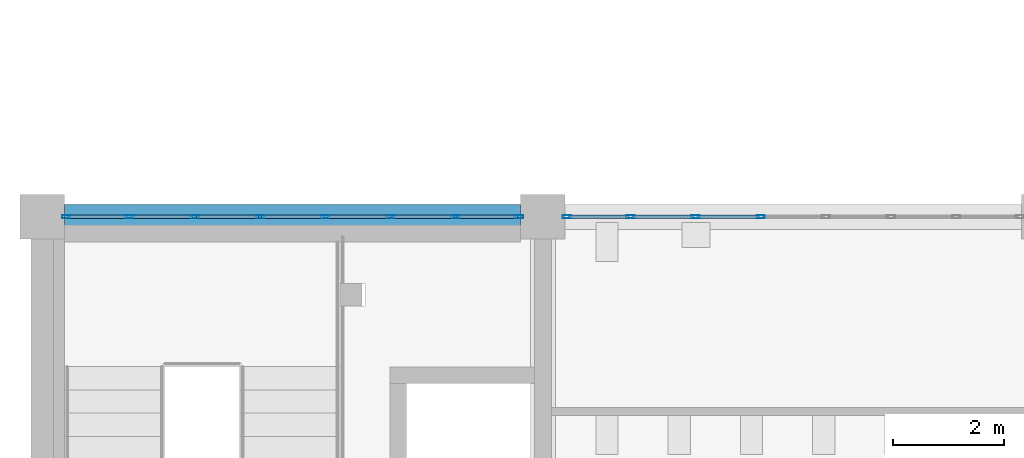
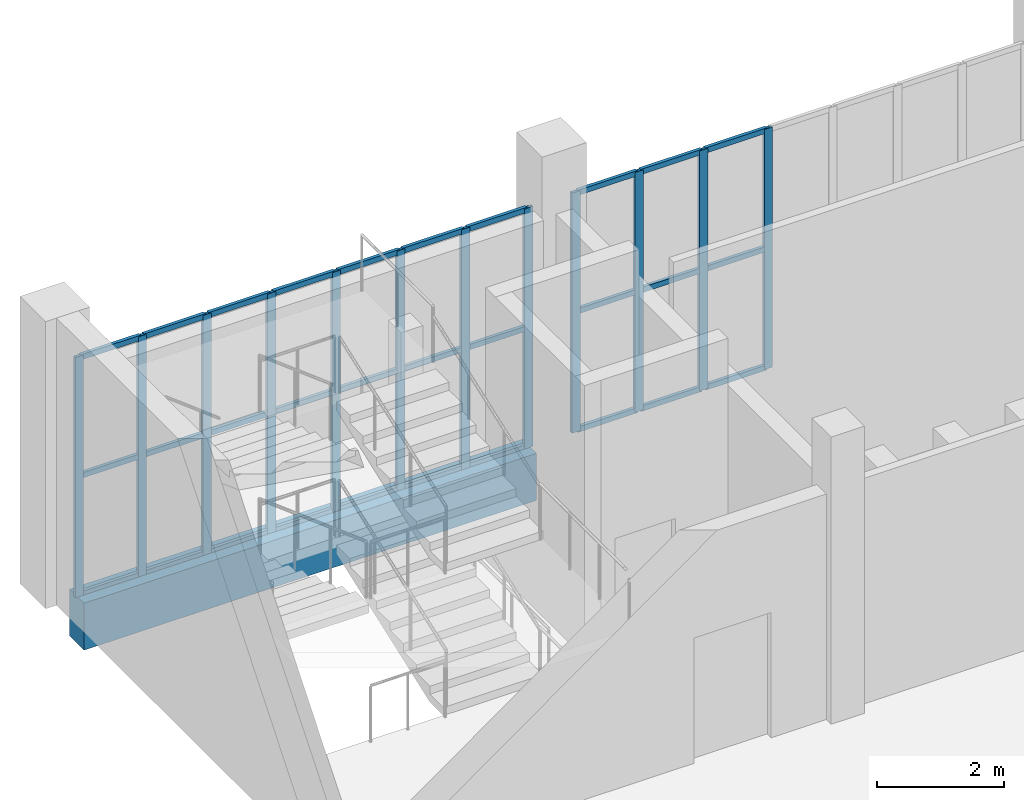
# One storey, part 30 of 185: 42 members, 1 beam, 2 elements without a shape of their own.
"""IFC4 building model written with IfcOpenShell, lengths in metres."""

from ifc_helpers import new_model, si_unit, direction, frame, origin, origin_2d, place, context, subcontext, project, spatial, rectangle, hollow_rectangle, extrude, material, layer, layer_set, material_profile, profile_set, type_object, element, aggregate, save


model = new_model("IFC4")

# Units and contexts
model_context = context("Model", 3, precision=1e-05, world=origin(), true_north=direction((0.0, 1.0)))
body_context = subcontext(model_context, "Body", "Model", "MODEL_VIEW")
ifc_project = project(units=[si_unit("LENGTHUNIT", "METRE"), si_unit("AREAUNIT", "SQUARE_METRE"), si_unit("VOLUMEUNIT", "CUBIC_METRE"), si_unit("PLANEANGLEUNIT", "RADIAN"), si_unit("MASSUNIT", "GRAM", prefix="KILO")], contexts=[model_context])

# Site, building, storey
site_placement = place(None, origin())
site = spatial("IfcSite", under=ifc_project, at=site_placement, CompositionType="ELEMENT")
building_placement = place(site_placement, origin())
building = spatial("IfcBuilding", under=site, at=building_placement, Name="Opaline Strait Convention Centre", CompositionType="ELEMENT")
storey_placement = place(building_placement, frame((0.0, 0.0, 6.0)))
storey = spatial("IfcBuildingStorey", under=building, at=storey_placement, Name="L01", CompositionType="ELEMENT", Elevation=6.0)

# Curtain wall, members
ifc_material_1 = material(Name="Aluminium framed double glazing", Category="aluminium")
ifc_layer = layer(ifc_material_1, 0.199951171875)
ifc_layer_set = layer_set([ifc_layer], Name="Aluminium framed double glazing")
curtain_wall_type = type_object("IfcCurtainWallType", Name="Curtain wall 1250", PredefinedType="NOTDEFINED", material=ifc_layer_set)
curtain_wall_1_placement = place(storey_placement, origin())
curtain_wall_1 = element("IfcCurtainWall", 1, at=curtain_wall_1_placement, inside=storey, type_object=curtain_wall_type, Name="Curtain wall N-9-L01", PredefinedType="NOTDEFINED")
ifc_material_2 = material(Name="Aluminium alloy 6063", Category="aluminium")
ifc_material_profile_1 = material_profile(ifc_material_2, hollow_rectangle(XDim=0.06005859375, YDim=0.14990234375, WallThickness=0.00390625, at=origin_2d()), Name="MULLION 60x150x4")
ifc_profile_set_1 = profile_set([ifc_material_profile_1], Name="Aluminium alloy 6063")
member_type_1 = type_object("IfcMemberType", Name="Curtain wall mullion 60 x 150", PredefinedType="MULLION", material=ifc_profile_set_1)
member_1_placement = place(storey_placement, frame((9.429931640625, 180.0, -0.280029296875), z_axis=(0.0, 0.0, 1.0), x_axis=(0.0, 1.0, 0.0)))
member_1 = element("IfcMember", 2, at=member_1_placement, type_object=member_type_1, Name="PCW mullion 1", PredefinedType="MULLION", context=body_context, shape_type="SweptSolid", body=[
    extrude(hollow_rectangle(XDim=0.06005859375, YDim=0.14990234375, WallThickness=0.00390625, at=origin_2d()), origin(), (0.0, 0.0, 1.0), 4.60009765625),
])
member_2_placement = place(storey_placement, frame((10.5712890625, 180.0, -0.280029296875), z_axis=(0.0, 0.0, 1.0), x_axis=(0.0, 1.0, 0.0)))
member_2 = element("IfcMember", 3, at=member_2_placement, type_object=member_type_1, Name="PCW mullion 2", PredefinedType="MULLION", context=body_context, shape_type="SweptSolid", body=[
    extrude(hollow_rectangle(XDim=0.06005859375, YDim=0.14990234375, WallThickness=0.00390625, at=origin_2d()), origin(), (0.0, 0.0, 1.0), 4.60009765625),
])
member_3_placement = place(storey_placement, frame((11.742919921875, 180.0, -0.280029296875), z_axis=(0.0, 0.0, 1.0), x_axis=(0.0, 1.0, 0.0)))
member_3 = element("IfcMember", 4, at=member_3_placement, type_object=member_type_1, Name="PCW mullion 3", PredefinedType="MULLION", context=body_context, shape_type="SweptSolid", body=[
    extrude(hollow_rectangle(XDim=0.06005859375, YDim=0.14990234375, WallThickness=0.00390625, at=origin_2d()), origin(), (0.0, 0.0, 1.0), 4.60009765625),
])
member_4_placement = place(storey_placement, frame((12.914306640625, 180.0, -0.280029296875), z_axis=(0.0, 0.0, 1.0), x_axis=(0.0, 1.0, 0.0)))
member_4 = element("IfcMember", 5, at=member_4_placement, type_object=member_type_1, Name="PCW mullion 4", PredefinedType="MULLION", context=body_context, shape_type="SweptSolid", body=[
    extrude(hollow_rectangle(XDim=0.06005859375, YDim=0.14990234375, WallThickness=0.00390625, at=origin_2d()), origin(), (0.0, 0.0, 1.0), 4.60009765625),
])
member_5_placement = place(storey_placement, frame((14.085693359375, 180.0, -0.280029296875), z_axis=(0.0, 0.0, 1.0), x_axis=(0.0, 1.0, 0.0)))
member_5 = element("IfcMember", 6, at=member_5_placement, type_object=member_type_1, Name="PCW mullion 5", PredefinedType="MULLION", context=body_context, shape_type="SweptSolid", body=[
    extrude(hollow_rectangle(XDim=0.06005859375, YDim=0.14990234375, WallThickness=0.00390625, at=origin_2d()), origin(), (0.0, 0.0, 1.0), 4.60009765625),
])
member_6_placement = place(storey_placement, frame((15.257080078125, 180.0, -0.280029296875), z_axis=(0.0, 0.0, 1.0), x_axis=(0.0, 1.0, 0.0)))
member_6 = element("IfcMember", 7, at=member_6_placement, type_object=member_type_1, Name="PCW mullion 6", PredefinedType="MULLION", context=body_context, shape_type="SweptSolid", body=[
    extrude(hollow_rectangle(XDim=0.06005859375, YDim=0.14990234375, WallThickness=0.00390625, at=origin_2d()), origin(), (0.0, 0.0, 1.0), 4.60009765625),
])
member_7_placement = place(storey_placement, frame((16.4287109375, 180.0, -0.280029296875), z_axis=(0.0, 0.0, 1.0), x_axis=(0.0, 1.0, 0.0)))
member_7 = element("IfcMember", 8, at=member_7_placement, type_object=member_type_1, Name="PCW mullion 7", PredefinedType="MULLION", context=body_context, shape_type="SweptSolid", body=[
    extrude(hollow_rectangle(XDim=0.06005859375, YDim=0.14990234375, WallThickness=0.00390625, at=origin_2d()), origin(), (0.0, 0.0, 1.0), 4.60009765625),
])
member_8_placement = place(storey_placement, frame((17.570068359375, 180.0, -0.280029296875), z_axis=(0.0, 0.0, 1.0), x_axis=(0.0, 1.0, 0.0)))
member_8 = element("IfcMember", 9, at=member_8_placement, type_object=member_type_1, Name="PCW mullion 8", PredefinedType="MULLION", context=body_context, shape_type="SweptSolid", body=[
    extrude(hollow_rectangle(XDim=0.06005859375, YDim=0.14990234375, WallThickness=0.00390625, at=origin_2d()), origin(), (0.0, 0.0, 1.0), 4.60009765625),
])

curtain_wall_2_placement = place(storey_placement, origin())
curtain_wall_2 = element("IfcCurtainWall", 10, at=curtain_wall_2_placement, inside=storey, type_object=curtain_wall_type, Name="Curtain wall N-18-L01", PredefinedType="NOTDEFINED")
member_9_placement = place(storey_placement, frame((18.429931640625, 180.0, -0.280029296875), z_axis=(0.0, 0.0, 1.0), x_axis=(0.0, 1.0, 0.0)))
member_9 = element("IfcMember", 11, at=member_9_placement, type_object=member_type_1, Name="PCW mullion 1", PredefinedType="MULLION", context=body_context, shape_type="SweptSolid", body=[
    extrude(hollow_rectangle(XDim=0.06005859375, YDim=0.14990234375, WallThickness=0.00390625, at=origin_2d()), origin(), (0.0, 0.0, 1.0), 4.60009765625),
])
member_10_placement = place(storey_placement, frame((19.5712890625, 180.0, -0.280029296875), z_axis=(0.0, 0.0, 1.0), x_axis=(0.0, 1.0, 0.0)))
member_10 = element("IfcMember", 12, at=member_10_placement, type_object=member_type_1, Name="PCW mullion 2", PredefinedType="MULLION", context=body_context, shape_type="SweptSolid", body=[
    extrude(hollow_rectangle(XDim=0.06005859375, YDim=0.14990234375, WallThickness=0.00390625, at=origin_2d()), origin(), (0.0, 0.0, 1.0), 4.60009765625),
])
member_11_placement = place(storey_placement, frame((20.742919921875, 180.0, -0.280029296875), z_axis=(0.0, 0.0, 1.0), x_axis=(0.0, 1.0, 0.0)))
member_11 = element("IfcMember", 13, at=member_11_placement, type_object=member_type_1, Name="PCW mullion 3", PredefinedType="MULLION", context=body_context, shape_type="SweptSolid", body=[
    extrude(hollow_rectangle(XDim=0.06005859375, YDim=0.14990234375, WallThickness=0.00390625, at=origin_2d()), origin(), (0.0, 0.0, 1.0), 4.60009765625),
])
member_12_placement = place(storey_placement, frame((21.914306640625, 180.0, -0.280029296875), z_axis=(0.0, 0.0, 1.0), x_axis=(0.0, 1.0, 0.0)))
member_12 = element("IfcMember", 14, at=member_12_placement, type_object=member_type_1, Name="PCW mullion 4", PredefinedType="MULLION", context=body_context, shape_type="SweptSolid", body=[
    extrude(hollow_rectangle(XDim=0.06005859375, YDim=0.14990234375, WallThickness=0.00390625, at=origin_2d()), origin(), (0.0, 0.0, 1.0), 4.60009765625),
])

# Member
ifc_material_profile_2 = material_profile(ifc_material_2, hollow_rectangle(XDim=0.06005859375, YDim=0.10009765625, WallThickness=0.0029296875, at=origin_2d()), Name="TRANSOM 60x100x3")
ifc_profile_set_2 = profile_set([ifc_material_profile_2], Name="Aluminium alloy 6063")
member_type_2 = type_object("IfcMemberType", Name="Curtain wall transom 60 x 100", PredefinedType="USERDEFINED", material=ifc_profile_set_2)
member_13_placement = place(storey_placement, frame((9.4599609375, 180.0, -0.25), z_axis=(1.0, 0.0, 0.0), x_axis=(0.0, 1.0, 0.0)))
member_13 = element("IfcMember", 15, at=member_13_placement, type_object=member_type_2, Name="PCW transom 1.1", ObjectType="TRANSOM", PredefinedType="USERDEFINED", context=body_context, shape_type="SweptSolid", body=[
    extrude(hollow_rectangle(XDim=0.06005859375, YDim=0.10009765625, WallThickness=0.0029296875, at=origin_2d()), origin(), (0.0, 0.0, 1.0), 1.081298828125),
])

member_14_placement = place(storey_placement, frame((9.4599609375, 180.0, 2.02001953125), z_axis=(1.0, 0.0, 0.0), x_axis=(0.0, 1.0, 0.0)))
member_14 = element("IfcMember", 16, at=member_14_placement, type_object=member_type_2, Name="PCW transom 1.2", ObjectType="TRANSOM", PredefinedType="USERDEFINED", context=body_context, shape_type="SweptSolid", body=[
    extrude(hollow_rectangle(XDim=0.06005859375, YDim=0.10009765625, WallThickness=0.0029296875, at=origin_2d()), origin(), (0.0, 0.0, 1.0), 1.081298828125),
])

member_15_placement = place(storey_placement, frame((9.4599609375, 180.0, 4.2900390625), z_axis=(1.0, 0.0, 0.0), x_axis=(0.0, 1.0, 0.0)))
member_15 = element("IfcMember", 17, at=member_15_placement, type_object=member_type_2, Name="PCW transom 1.3", ObjectType="TRANSOM", PredefinedType="USERDEFINED", context=body_context, shape_type="SweptSolid", body=[
    extrude(hollow_rectangle(XDim=0.06005859375, YDim=0.10009765625, WallThickness=0.0029296875, at=origin_2d()), origin(), (0.0, 0.0, 1.0), 1.081298828125),
])

member_16_placement = place(storey_placement, frame((10.601318359375, 180.0, -0.25), z_axis=(1.0, 0.0, 0.0), x_axis=(0.0, 1.0, 0.0)))
member_16 = element("IfcMember", 18, at=member_16_placement, type_object=member_type_2, Name="PCW transom 2.1", ObjectType="TRANSOM", PredefinedType="USERDEFINED", context=body_context, shape_type="SweptSolid", body=[
    extrude(hollow_rectangle(XDim=0.06005859375, YDim=0.10009765625, WallThickness=0.0029296875, at=origin_2d()), origin(), (0.0, 0.0, 1.0), 1.111572265625),
])

member_17_placement = place(storey_placement, frame((10.601318359375, 180.0, 2.02001953125), z_axis=(1.0, 0.0, 0.0), x_axis=(0.0, 1.0, 0.0)))
member_17 = element("IfcMember", 19, at=member_17_placement, type_object=member_type_2, Name="PCW transom 2.2", ObjectType="TRANSOM", PredefinedType="USERDEFINED", context=body_context, shape_type="SweptSolid", body=[
    extrude(hollow_rectangle(XDim=0.06005859375, YDim=0.10009765625, WallThickness=0.0029296875, at=origin_2d()), origin(), (0.0, 0.0, 1.0), 1.111572265625),
])

member_18_placement = place(storey_placement, frame((10.601318359375, 180.0, 4.2900390625), z_axis=(1.0, 0.0, 0.0), x_axis=(0.0, 1.0, 0.0)))
member_18 = element("IfcMember", 20, at=member_18_placement, type_object=member_type_2, Name="PCW transom 2.3", ObjectType="TRANSOM", PredefinedType="USERDEFINED", context=body_context, shape_type="SweptSolid", body=[
    extrude(hollow_rectangle(XDim=0.06005859375, YDim=0.10009765625, WallThickness=0.0029296875, at=origin_2d()), origin(), (0.0, 0.0, 1.0), 1.111572265625),
])

member_19_placement = place(storey_placement, frame((11.772705078125, 180.0, -0.25), z_axis=(1.0, 0.0, 0.0), x_axis=(0.0, 1.0, 0.0)))
member_19 = element("IfcMember", 21, at=member_19_placement, type_object=member_type_2, Name="PCW transom 3.1", ObjectType="TRANSOM", PredefinedType="USERDEFINED", context=body_context, shape_type="SweptSolid", body=[
    extrude(hollow_rectangle(XDim=0.06005859375, YDim=0.10009765625, WallThickness=0.0029296875, at=origin_2d()), origin(), (0.0, 0.0, 1.0), 1.111572265625),
])

member_20_placement = place(storey_placement, frame((11.772705078125, 180.0, 2.02001953125), z_axis=(1.0, 0.0, 0.0), x_axis=(0.0, 1.0, 0.0)))
member_20 = element("IfcMember", 22, at=member_20_placement, type_object=member_type_2, Name="PCW transom 3.2", ObjectType="TRANSOM", PredefinedType="USERDEFINED", context=body_context, shape_type="SweptSolid", body=[
    extrude(hollow_rectangle(XDim=0.06005859375, YDim=0.10009765625, WallThickness=0.0029296875, at=origin_2d()), origin(), (0.0, 0.0, 1.0), 1.111572265625),
])

member_21_placement = place(storey_placement, frame((11.772705078125, 180.0, 4.2900390625), z_axis=(1.0, 0.0, 0.0), x_axis=(0.0, 1.0, 0.0)))
member_21 = element("IfcMember", 23, at=member_21_placement, type_object=member_type_2, Name="PCW transom 3.3", ObjectType="TRANSOM", PredefinedType="USERDEFINED", context=body_context, shape_type="SweptSolid", body=[
    extrude(hollow_rectangle(XDim=0.06005859375, YDim=0.10009765625, WallThickness=0.0029296875, at=origin_2d()), origin(), (0.0, 0.0, 1.0), 1.111572265625),
])

member_22_placement = place(storey_placement, frame((12.9443359375, 180.0, -0.25), z_axis=(1.0, 0.0, 0.0), x_axis=(0.0, 1.0, 0.0)))
member_22 = element("IfcMember", 24, at=member_22_placement, type_object=member_type_2, Name="PCW transom 4.1", ObjectType="TRANSOM", PredefinedType="USERDEFINED", context=body_context, shape_type="SweptSolid", body=[
    extrude(hollow_rectangle(XDim=0.06005859375, YDim=0.10009765625, WallThickness=0.0029296875, at=origin_2d()), origin(), (0.0, 0.0, 1.0), 1.111328125),
])

member_23_placement = place(storey_placement, frame((12.9443359375, 180.0, 2.02001953125), z_axis=(1.0, 0.0, 0.0), x_axis=(0.0, 1.0, 0.0)))
member_23 = element("IfcMember", 25, at=member_23_placement, type_object=member_type_2, Name="PCW transom 4.2", ObjectType="TRANSOM", PredefinedType="USERDEFINED", context=body_context, shape_type="SweptSolid", body=[
    extrude(hollow_rectangle(XDim=0.06005859375, YDim=0.10009765625, WallThickness=0.0029296875, at=origin_2d()), origin(), (0.0, 0.0, 1.0), 1.111328125),
])

member_24_placement = place(storey_placement, frame((12.9443359375, 180.0, 4.2900390625), z_axis=(1.0, 0.0, 0.0), x_axis=(0.0, 1.0, 0.0)))
member_24 = element("IfcMember", 26, at=member_24_placement, type_object=member_type_2, Name="PCW transom 4.3", ObjectType="TRANSOM", PredefinedType="USERDEFINED", context=body_context, shape_type="SweptSolid", body=[
    extrude(hollow_rectangle(XDim=0.06005859375, YDim=0.10009765625, WallThickness=0.0029296875, at=origin_2d()), origin(), (0.0, 0.0, 1.0), 1.111328125),
])

member_25_placement = place(storey_placement, frame((14.11572265625, 180.0, -0.25), z_axis=(1.0, 0.0, 0.0), x_axis=(0.0, 1.0, 0.0)))
member_25 = element("IfcMember", 27, at=member_25_placement, type_object=member_type_2, Name="PCW transom 5.1", ObjectType="TRANSOM", PredefinedType="USERDEFINED", context=body_context, shape_type="SweptSolid", body=[
    extrude(hollow_rectangle(XDim=0.06005859375, YDim=0.10009765625, WallThickness=0.0029296875, at=origin_2d()), origin(), (0.0, 0.0, 1.0), 1.111572265625),
])

member_26_placement = place(storey_placement, frame((14.11572265625, 180.0, 2.02001953125), z_axis=(1.0, 0.0, 0.0), x_axis=(0.0, 1.0, 0.0)))
member_26 = element("IfcMember", 28, at=member_26_placement, type_object=member_type_2, Name="PCW transom 5.2", ObjectType="TRANSOM", PredefinedType="USERDEFINED", context=body_context, shape_type="SweptSolid", body=[
    extrude(hollow_rectangle(XDim=0.06005859375, YDim=0.10009765625, WallThickness=0.0029296875, at=origin_2d()), origin(), (0.0, 0.0, 1.0), 1.111572265625),
])

member_27_placement = place(storey_placement, frame((14.11572265625, 180.0, 4.2900390625), z_axis=(1.0, 0.0, 0.0), x_axis=(0.0, 1.0, 0.0)))
member_27 = element("IfcMember", 29, at=member_27_placement, type_object=member_type_2, Name="PCW transom 5.3", ObjectType="TRANSOM", PredefinedType="USERDEFINED", context=body_context, shape_type="SweptSolid", body=[
    extrude(hollow_rectangle(XDim=0.06005859375, YDim=0.10009765625, WallThickness=0.0029296875, at=origin_2d()), origin(), (0.0, 0.0, 1.0), 1.111572265625),
])

member_28_placement = place(storey_placement, frame((15.287109375, 180.0, -0.25), z_axis=(1.0, 0.0, 0.0), x_axis=(0.0, 1.0, 0.0)))
member_28 = element("IfcMember", 30, at=member_28_placement, type_object=member_type_2, Name="PCW transom 6.1", ObjectType="TRANSOM", PredefinedType="USERDEFINED", context=body_context, shape_type="SweptSolid", body=[
    extrude(hollow_rectangle(XDim=0.06005859375, YDim=0.10009765625, WallThickness=0.0029296875, at=origin_2d()), origin(), (0.0, 0.0, 1.0), 1.111572265625),
])

member_29_placement = place(storey_placement, frame((15.287109375, 180.0, 2.02001953125), z_axis=(1.0, 0.0, 0.0), x_axis=(0.0, 1.0, 0.0)))
member_29 = element("IfcMember", 31, at=member_29_placement, type_object=member_type_2, Name="PCW transom 6.2", ObjectType="TRANSOM", PredefinedType="USERDEFINED", context=body_context, shape_type="SweptSolid", body=[
    extrude(hollow_rectangle(XDim=0.06005859375, YDim=0.10009765625, WallThickness=0.0029296875, at=origin_2d()), origin(), (0.0, 0.0, 1.0), 1.111572265625),
])

member_30_placement = place(storey_placement, frame((15.287109375, 180.0, 4.2900390625), z_axis=(1.0, 0.0, 0.0), x_axis=(0.0, 1.0, 0.0)))
member_30 = element("IfcMember", 32, at=member_30_placement, type_object=member_type_2, Name="PCW transom 6.3", ObjectType="TRANSOM", PredefinedType="USERDEFINED", context=body_context, shape_type="SweptSolid", body=[
    extrude(hollow_rectangle(XDim=0.06005859375, YDim=0.10009765625, WallThickness=0.0029296875, at=origin_2d()), origin(), (0.0, 0.0, 1.0), 1.111572265625),
])

member_31_placement = place(storey_placement, frame((16.458740234375, 180.0, -0.25), z_axis=(1.0, 0.0, 0.0), x_axis=(0.0, 1.0, 0.0)))
member_31 = element("IfcMember", 33, at=member_31_placement, type_object=member_type_2, Name="PCW transom 7.1", ObjectType="TRANSOM", PredefinedType="USERDEFINED", context=body_context, shape_type="SweptSolid", body=[
    extrude(hollow_rectangle(XDim=0.06005859375, YDim=0.10009765625, WallThickness=0.0029296875, at=origin_2d()), origin(), (0.0, 0.0, 1.0), 1.081298828125),
])

member_32_placement = place(storey_placement, frame((16.458740234375, 180.0, 2.02001953125), z_axis=(1.0, 0.0, 0.0), x_axis=(0.0, 1.0, 0.0)))
member_32 = element("IfcMember", 34, at=member_32_placement, type_object=member_type_2, Name="PCW transom 7.2", ObjectType="TRANSOM", PredefinedType="USERDEFINED", context=body_context, shape_type="SweptSolid", body=[
    extrude(hollow_rectangle(XDim=0.06005859375, YDim=0.10009765625, WallThickness=0.0029296875, at=origin_2d()), origin(), (0.0, 0.0, 1.0), 1.081298828125),
])

member_33_placement = place(storey_placement, frame((16.458740234375, 180.0, 4.2900390625), z_axis=(1.0, 0.0, 0.0), x_axis=(0.0, 1.0, 0.0)))
member_33 = element("IfcMember", 35, at=member_33_placement, type_object=member_type_2, Name="PCW transom 7.3", ObjectType="TRANSOM", PredefinedType="USERDEFINED", context=body_context, shape_type="SweptSolid", body=[
    extrude(hollow_rectangle(XDim=0.06005859375, YDim=0.10009765625, WallThickness=0.0029296875, at=origin_2d()), origin(), (0.0, 0.0, 1.0), 1.081298828125),
])

aggregate(curtain_wall_1, [member_1, member_2, member_3, member_4, member_5, member_6, member_7, member_8, member_13, member_14, member_15, member_16, member_17, member_18, member_19, member_20, member_21, member_22, member_23, member_24, member_25, member_26, member_27, member_28, member_29, member_30, member_31, member_32, member_33])

member_34_placement = place(storey_placement, frame((18.4599609375, 180.0, -0.25), z_axis=(1.0, 0.0, 0.0), x_axis=(0.0, 1.0, 0.0)))
member_34 = element("IfcMember", 36, at=member_34_placement, type_object=member_type_2, Name="PCW transom 1.1", ObjectType="TRANSOM", PredefinedType="USERDEFINED", context=body_context, shape_type="SweptSolid", body=[
    extrude(hollow_rectangle(XDim=0.06005859375, YDim=0.10009765625, WallThickness=0.0029296875, at=origin_2d()), origin(), (0.0, 0.0, 1.0), 1.081298828125),
])

member_35_placement = place(storey_placement, frame((18.4599609375, 180.0, 2.02001953125), z_axis=(1.0, 0.0, 0.0), x_axis=(0.0, 1.0, 0.0)))
member_35 = element("IfcMember", 37, at=member_35_placement, type_object=member_type_2, Name="PCW transom 1.2", ObjectType="TRANSOM", PredefinedType="USERDEFINED", context=body_context, shape_type="SweptSolid", body=[
    extrude(hollow_rectangle(XDim=0.06005859375, YDim=0.10009765625, WallThickness=0.0029296875, at=origin_2d()), origin(), (0.0, 0.0, 1.0), 1.081298828125),
])

member_36_placement = place(storey_placement, frame((18.4599609375, 180.0, 4.2900390625), z_axis=(1.0, 0.0, 0.0), x_axis=(0.0, 1.0, 0.0)))
member_36 = element("IfcMember", 38, at=member_36_placement, type_object=member_type_2, Name="PCW transom 1.3", ObjectType="TRANSOM", PredefinedType="USERDEFINED", context=body_context, shape_type="SweptSolid", body=[
    extrude(hollow_rectangle(XDim=0.06005859375, YDim=0.10009765625, WallThickness=0.0029296875, at=origin_2d()), origin(), (0.0, 0.0, 1.0), 1.081298828125),
])

member_37_placement = place(storey_placement, frame((19.601318359375, 180.0, -0.25), z_axis=(1.0, 0.0, 0.0), x_axis=(0.0, 1.0, 0.0)))
member_37 = element("IfcMember", 39, at=member_37_placement, type_object=member_type_2, Name="PCW transom 2.1", ObjectType="TRANSOM", PredefinedType="USERDEFINED", context=body_context, shape_type="SweptSolid", body=[
    extrude(hollow_rectangle(XDim=0.06005859375, YDim=0.10009765625, WallThickness=0.0029296875, at=origin_2d()), origin(), (0.0, 0.0, 1.0), 1.111572265625),
])

member_38_placement = place(storey_placement, frame((19.601318359375, 180.0, 2.02001953125), z_axis=(1.0, 0.0, 0.0), x_axis=(0.0, 1.0, 0.0)))
member_38 = element("IfcMember", 40, at=member_38_placement, type_object=member_type_2, Name="PCW transom 2.2", ObjectType="TRANSOM", PredefinedType="USERDEFINED", context=body_context, shape_type="SweptSolid", body=[
    extrude(hollow_rectangle(XDim=0.06005859375, YDim=0.10009765625, WallThickness=0.0029296875, at=origin_2d()), origin(), (0.0, 0.0, 1.0), 1.111572265625),
])

member_39_placement = place(storey_placement, frame((19.601318359375, 180.0, 4.2900390625), z_axis=(1.0, 0.0, 0.0), x_axis=(0.0, 1.0, 0.0)))
member_39 = element("IfcMember", 41, at=member_39_placement, type_object=member_type_2, Name="PCW transom 2.3", ObjectType="TRANSOM", PredefinedType="USERDEFINED", context=body_context, shape_type="SweptSolid", body=[
    extrude(hollow_rectangle(XDim=0.06005859375, YDim=0.10009765625, WallThickness=0.0029296875, at=origin_2d()), origin(), (0.0, 0.0, 1.0), 1.111572265625),
])

member_40_placement = place(storey_placement, frame((20.772705078125, 180.0, -0.25), z_axis=(1.0, 0.0, 0.0), x_axis=(0.0, 1.0, 0.0)))
member_40 = element("IfcMember", 42, at=member_40_placement, type_object=member_type_2, Name="PCW transom 3.1", ObjectType="TRANSOM", PredefinedType="USERDEFINED", context=body_context, shape_type="SweptSolid", body=[
    extrude(hollow_rectangle(XDim=0.06005859375, YDim=0.10009765625, WallThickness=0.0029296875, at=origin_2d()), origin(), (0.0, 0.0, 1.0), 1.111572265625),
])

member_41_placement = place(storey_placement, frame((20.772705078125, 180.0, 2.02001953125), z_axis=(1.0, 0.0, 0.0), x_axis=(0.0, 1.0, 0.0)))
member_41 = element("IfcMember", 43, at=member_41_placement, type_object=member_type_2, Name="PCW transom 3.2", ObjectType="TRANSOM", PredefinedType="USERDEFINED", context=body_context, shape_type="SweptSolid", body=[
    extrude(hollow_rectangle(XDim=0.06005859375, YDim=0.10009765625, WallThickness=0.0029296875, at=origin_2d()), origin(), (0.0, 0.0, 1.0), 1.111572265625),
])

member_42_placement = place(storey_placement, frame((20.772705078125, 180.0, 4.2900390625), z_axis=(1.0, 0.0, 0.0), x_axis=(0.0, 1.0, 0.0)))
member_42 = element("IfcMember", 44, at=member_42_placement, type_object=member_type_2, Name="PCW transom 3.3", ObjectType="TRANSOM", PredefinedType="USERDEFINED", context=body_context, shape_type="SweptSolid", body=[
    extrude(hollow_rectangle(XDim=0.06005859375, YDim=0.10009765625, WallThickness=0.0029296875, at=origin_2d()), origin(), (0.0, 0.0, 1.0), 1.111572265625),
])

aggregate(curtain_wall_2, [member_9, member_10, member_11, member_12, member_34, member_35, member_36, member_37, member_38, member_39, member_40, member_41, member_42])

# Beam
ifc_material_3 = material(Name="Concrete C35", Category="concrete")
ifc_material_profile_3 = material_profile(ifc_material_3, rectangle(XDim=0.449951171875, YDim=0.89990234375, at=origin_2d()), Name="RC 450x900")
ifc_profile_set_3 = profile_set([ifc_material_profile_3], Name="Concrete C35")
beam_type = type_object("IfcBeamType", Name="RC floor beam 450x900 C35", PredefinedType="BEAM", material=ifc_profile_set_3)
beam_placement = place(storey_placement, frame((9.39990234375, 180.0, -0.72998046875), z_axis=(1.0, 0.0, 0.0), x_axis=(0.0, 1.0, 0.0)))
element("IfcBeam", 45, at=beam_placement, inside=storey, type_object=beam_type, Name="PFB1 L01 beam 2/W-3/W", PredefinedType="BEAM", context=body_context, shape_type="SweptSolid", body=[
    extrude(rectangle(XDim=0.449951171875, YDim=0.89990234375, at=origin_2d()), origin(), (0.0, 0.0, 1.0), 8.2001953125),
])

save(model, "model.ifc")
